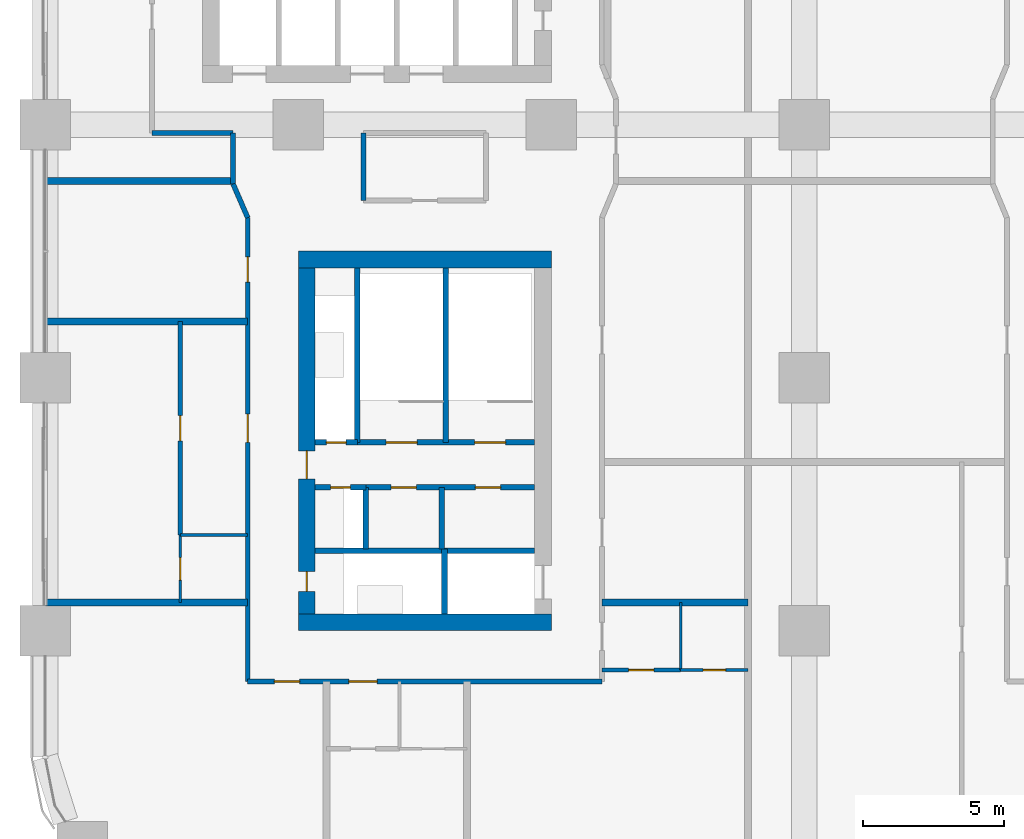
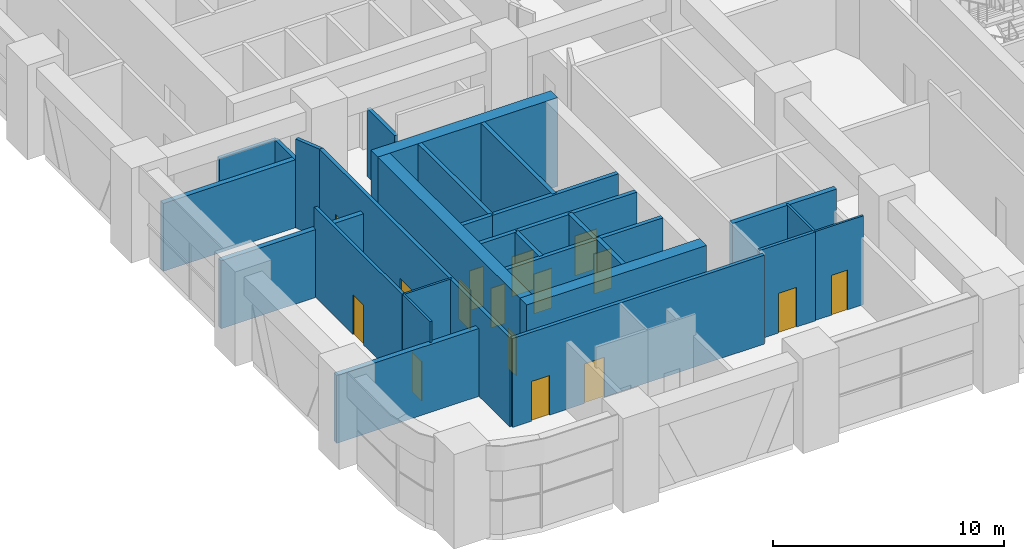
# One storey, part 15 of 26: 29 walls, 16 doors, 16 openings.
"""IFC4 building model written with IfcOpenShell, lengths in metres."""

from ifc_helpers import new_model, si_unit, direction, frame, frame_2d, origin, place, context, subcontext, project, spatial, rectangle, extrude, material, layer, layer_set, type_object, element, fill, save


model = new_model("IFC4")

# Units and contexts
model_context = context("Model", 3, precision=1e-05, world=origin(), true_north=direction((0.0, 1.0)))
body_context = subcontext(model_context, "Body", "Model", "MODEL_VIEW")
ifc_project = project(units=[si_unit("LENGTHUNIT", "METRE"), si_unit("AREAUNIT", "SQUARE_METRE"), si_unit("VOLUMEUNIT", "CUBIC_METRE"), si_unit("PLANEANGLEUNIT", "RADIAN"), si_unit("MASSUNIT", "GRAM", prefix="KILO")], contexts=[model_context])

# Site, building, storey
site_placement = place(None, origin())
site = spatial("IfcSite", under=ifc_project, at=site_placement, CompositionType="ELEMENT")
building_placement = place(site_placement, origin())
building = spatial("IfcBuilding", under=site, at=building_placement, Name="Tessera Arch", CompositionType="ELEMENT")
storey_placement = place(building_placement, frame((0.0, 0.0, 72.800048828125)))
storey = spatial("IfcBuildingStorey", under=building, at=storey_placement, Name="L16", CompositionType="ELEMENT", Elevation=72.800048828125)

# Wall
ifc_material_1 = material(Name="Gypsum board on steel stud", Category="steel")
ifc_layer_1 = layer(ifc_material_1, 0.125)
ifc_layer_set_1 = layer_set([ifc_layer_1], Name="Core partition 125 EI 60")
wall_type_1 = type_object("IfcWallType", Name="Core partition 125 EI 60", PredefinedType="PARTITIONING", material=ifc_layer_set_1)
wall_1_placement = place(storey_placement, frame((14.10009765625, 11.89990234375, 0.0), z_axis=(0.0, 0.0, 1.0), x_axis=(0.0, 1.0, 0.0)))
element("IfcWall", 1, at=wall_1_placement, inside=storey, type_object=wall_type_1, Name="L16 C4 partition wall 3", PredefinedType="PARTITIONING", context=body_context, shape_type="SweptSolid", body=[
    extrude(rectangle(XDim=2.2001953125, YDim=0.199951171875, at=frame_2d((1.10009765625, 0.0))), origin(), (0.0, 0.0, 1.0), 4.699951171875),
])

# Wall, openings, doors
wall_2_placement = place(storey_placement, frame((11.39990234375, 14.10009765625, 0.0), z_axis=(0.0, 0.0, 1.0), x_axis=(1.0, 0.0, 0.0)))
wall_2 = element("IfcWall", 2, at=wall_2_placement, inside=storey, type_object=wall_type_1, Name="L16 C4 partition wall 7", PredefinedType="PARTITIONING", context=body_context, shape_type="SweptSolid", body=[
    extrude(rectangle(XDim=6.0, YDim=0.199951171875, at=frame_2d((3.0, 0.0))), origin(), (0.0, 0.0, 1.0), 4.699951171875),
])
opening_1_placement = place(wall_2_placement, frame((0.89990234375, 0.0, 0.0)))
opening_1 = element("IfcOpeningElement", 3, at=opening_1_placement, cuts=wall_2, Name="Opening L16-C48", PredefinedType="OPENING", context=body_context, shape_type="SweptSolid", body=[
    extrude(rectangle(XDim=0.89990234375, YDim=2.10009765625, at=frame_2d((0.449951171875, 1.050048828125))), frame((0.0, 0.10986328125, 0.0), z_axis=(0.0, -1.0, 0.0), x_axis=(1.0, 0.0, 0.0)), (0.0, 0.0, 1.0), 0.219970703125),
])
opening_2_placement = place(wall_2_placement, frame((3.89990234375, 0.0, 0.0)))
opening_2 = element("IfcOpeningElement", 4, at=opening_2_placement, cuts=wall_2, Name="Opening L16-C49", PredefinedType="OPENING", context=body_context, shape_type="SweptSolid", body=[
    extrude(rectangle(XDim=0.89990234375, YDim=2.10009765625, at=frame_2d((0.449951171875, 1.050048828125))), frame((0.0, 0.10986328125, 0.0), z_axis=(0.0, -1.0, 0.0), x_axis=(1.0, 0.0, 0.0)), (0.0, 0.0, 1.0), 0.219970703125),
])
ifc_material_2 = material(Name="Steel door leaf", Category="steel")
door_type_1 = type_object("IfcDoorType", Name="Store door FD30S 900 x 2100", OperationType="SINGLE_SWING_LEFT", PredefinedType="DOOR", material=ifc_material_2)
door_1_placement = place(opening_1_placement, origin())
door_1 = element("IfcDoor", 5, at=door_1_placement, inside=storey, type_object=door_type_1, Name="L16 C4 door 8 C48 type D09", OperationType="SINGLE_SWING_LEFT", OverallHeight=2.10009765625, OverallWidth=0.89990234375, PredefinedType="DOOR", context=body_context, shape_type="SweptSolid", body=[
    extrude(rectangle(XDim=0.89990234375, YDim=2.10009765625, at=frame_2d((0.449951171875, 1.050048828125))), frame((0.0, 0.02490234375, 0.0), z_axis=(0.0, -1.0, 0.0), x_axis=(1.0, 0.0, 0.0)), (0.0, 0.0, 1.0), 0.050048828125),
])
fill(opening_1, door_1)
door_2_placement = place(opening_2_placement, origin())
door_2 = element("IfcDoor", 6, at=door_2_placement, inside=storey, type_object=door_type_1, Name="L16 C4 door 9 C49 type D09", OperationType="SINGLE_SWING_RIGHT", OverallHeight=2.10009765625, OverallWidth=0.89990234375, PredefinedType="DOOR", context=body_context, shape_type="SweptSolid", body=[
    extrude(rectangle(XDim=0.89990234375, YDim=2.10009765625, at=frame_2d((0.449951171875, 1.050048828125))), frame((0.0, 0.02490234375, 0.0), z_axis=(0.0, -1.0, 0.0), x_axis=(1.0, 0.0, 0.0)), (0.0, 0.0, 1.0), 0.050048828125),
])
fill(opening_2, door_2)

# Walls
ifc_material_3 = material(Name="Concrete C70/85", Category="concrete")
ifc_layer_2 = layer(ifc_material_3, 0.60009765625)
ifc_layer_set_2 = layer_set([ifc_layer_2], Name="Core shell wall 600 C70-85")
wall_type_2 = type_object("IfcWallType", Name="Core shell wall 600 C70-85", PredefinedType="SHEAR", material=ifc_layer_set_2)
for number, where, z_axis, x_axis, name in (
    (7, (9.0, 9.300048828125, 0.0), (0.0, 0.0, 1.0), (1.0, 0.0, 0.0), "L16 C4 core wall S"),
    (8, (9.0, 22.199951171875, 0.0), (0.0, 0.0, 1.0), (1.0, 0.0, 0.0), "L16 C4 core wall N"),
):
    element("IfcWall", number, at=place(storey_placement, frame(where, z_axis=z_axis, x_axis=x_axis)), inside=storey, type_object=wall_type_2, Name=name, PredefinedType="SHEAR", context=body_context, shape_type="SweptSolid", body=[
        extrude(rectangle(XDim=9.0, YDim=0.60009765625, at=frame_2d((4.5, 0.0))), origin(), (0.0, 0.0, 1.0), 4.699951171875),
    ])

# Wall, openings, doors
wall_3_placement = place(storey_placement, frame((9.300048828125, 9.60009765625, 0.0), z_axis=(0.0, 0.0, 1.0), x_axis=(0.0, 1.0, 0.0)))
wall_3 = element("IfcWall", 9, at=wall_3_placement, inside=storey, type_object=wall_type_2, Name="L16 C4 core wall W", PredefinedType="SHEAR", context=body_context, shape_type="SweptSolid", body=[
    extrude(rectangle(XDim=12.2998046875, YDim=0.60009765625, at=frame_2d((6.14990234375, 0.0))), origin(), (0.0, 0.0, 1.0), 4.699951171875),
])
opening_3_placement = place(wall_3_placement, frame((0.800048828125, 0.0, 0.0)))
opening_3 = element("IfcOpeningElement", 10, at=opening_3_placement, cuts=wall_3, Name="Opening L16-C46", PredefinedType="OPENING", context=body_context, shape_type="SweptSolid", body=[
    extrude(rectangle(XDim=0.699951171875, YDim=2.10009765625, at=frame_2d((0.35009765625, 1.050048828125))), frame((0.0, 0.31005859375, 0.0), z_axis=(0.0, -1.0, 0.0), x_axis=(1.0, 0.0, 0.0)), (0.0, 0.0, 1.0), 0.6201171875),
])
opening_4_placement = place(wall_3_placement, frame((4.800048828125, 0.0, 0.0)))
opening_4 = element("IfcOpeningElement", 11, at=opening_4_placement, cuts=wall_3, Name="Opening L16-C47", PredefinedType="OPENING", context=body_context, shape_type="SweptSolid", body=[
    extrude(rectangle(XDim=1.0, YDim=2.10009765625, at=frame_2d((0.5, 1.050048828125))), frame((0.0, 0.31005859375, 0.0), z_axis=(0.0, -1.0, 0.0), x_axis=(1.0, 0.0, 0.0)), (0.0, 0.0, 1.0), 0.6201171875),
])
ifc_material_4 = material(Name="Steel door leaf", Category="steel")
door_type_2 = type_object("IfcDoorType", Name="Corridor door FD60 1000 x 2100", OperationType="SINGLE_SWING_LEFT", PredefinedType="DOOR", material=ifc_material_4)
door_3_placement = place(opening_4_placement, origin())
door_3 = element("IfcDoor", 12, at=door_3_placement, inside=storey, type_object=door_type_2, Name="L16 C4 door 7 C47 type D12", OperationType="SINGLE_SWING_LEFT", OverallHeight=2.10009765625, OverallWidth=1.0, PredefinedType="DOOR", context=body_context, shape_type="SweptSolid", body=[
    extrude(rectangle(XDim=1.0, YDim=2.10009765625, at=frame_2d((0.5, 1.050048828125))), frame((0.0, 0.02490234375, 0.0), z_axis=(0.0, -1.0, 0.0), x_axis=(1.0, 0.0, 0.0)), (0.0, 0.0, 1.0), 0.050048828125),
])
fill(opening_4, door_3)
ifc_material_5 = material(Name="Steel door leaf", Category="steel")
door_type_3 = type_object("IfcDoorType", Name="Service shaft door FD60 700 x 2100", OperationType="SINGLE_SWING_LEFT", PredefinedType="DOOR", material=ifc_material_5)
door_4_placement = place(opening_3_placement, origin())
door_4 = element("IfcDoor", 13, at=door_4_placement, inside=storey, type_object=door_type_3, Name="L16 C4 door 6 C46 type D07", OperationType="SINGLE_SWING_LEFT", OverallHeight=2.10009765625, OverallWidth=0.699951171875, PredefinedType="DOOR", context=body_context, shape_type="SweptSolid", body=[
    extrude(rectangle(XDim=0.699951171875, YDim=2.10009765625, at=frame_2d((0.35009765625, 1.050048828125))), frame((0.0, 0.02490234375, 0.0), z_axis=(0.0, -1.0, 0.0), x_axis=(1.0, 0.0, 0.0)), (0.0, 0.0, 1.0), 0.050048828125),
])
fill(opening_3, door_4)

ifc_material_6 = material(Name="Gypsum board on deep steel stud with mineral wool", Category="steel")
ifc_layer_3 = layer(ifc_material_6, 0.175048828125)
ifc_layer_set_3 = layer_set([ifc_layer_3], Name="Corridor wall 175 EI 60")
wall_type_3 = type_object("IfcWallType", Name="Corridor wall 175 EI 60", PredefinedType="PARTITIONING", material=ifc_layer_set_3)
wall_4_placement = place(storey_placement, frame((7.199951171875, 7.199951171875, 0.0), z_axis=(0.0, 0.0, 1.0), x_axis=(1.0, 0.0, 0.0)))
wall_4 = element("IfcWall", 14, at=wall_4_placement, inside=storey, type_object=wall_type_3, Name="L16 partition 1", PredefinedType="PARTITIONING", context=body_context, shape_type="SweptSolid", body=[
    extrude(rectangle(XDim=12.60009765625, YDim=0.175048828125, at=frame_2d((6.300048828125, 0.0))), origin(), (0.0, 0.0, 1.0), 4.699951171875),
])
opening_5_placement = place(wall_4_placement, frame((3.60009765625, 0.0, 0.0)))
opening_5 = element("IfcOpeningElement", 15, at=opening_5_placement, cuts=wall_4, Name="Opening L16-D001", PredefinedType="OPENING", context=body_context, shape_type="SweptSolid", body=[
    extrude(rectangle(XDim=1.0, YDim=2.10009765625, at=frame_2d((0.5, 1.050048828125))), frame((0.0, 0.097412109375, 0.0), z_axis=(0.0, -1.0, 0.0), x_axis=(1.0, 0.0, 0.0)), (0.0, 0.0, 1.0), 0.195068359375),
])
opening_6_placement = place(wall_4_placement, frame((0.949951171875, 0.0, 0.0)))
opening_6 = element("IfcOpeningElement", 16, at=opening_6_placement, cuts=wall_4, Name="Opening L16-D010", PredefinedType="OPENING", context=body_context, shape_type="SweptSolid", body=[
    extrude(rectangle(XDim=0.89990234375, YDim=2.10009765625, at=frame_2d((0.449951171875, 1.050048828125))), frame((0.0, 0.097412109375, 0.0), z_axis=(0.0, -1.0, 0.0), x_axis=(1.0, 0.0, 0.0)), (0.0, 0.0, 1.0), 0.195068359375),
])
ifc_material_7 = material(Name="Fire-rated door leaf")
door_type_4 = type_object("IfcDoorType", Name="Entrance door FD30S 1000 x 2100", OperationType="SINGLE_SWING_LEFT", PredefinedType="DOOR", material=ifc_material_7)
door_5_placement = place(opening_5_placement, origin())
door_5 = element("IfcDoor", 17, at=door_5_placement, inside=storey, type_object=door_type_4, Name="L16 door D001 type D03", OperationType="SINGLE_SWING_RIGHT", OverallHeight=2.10009765625, OverallWidth=1.0, PredefinedType="DOOR", context=body_context, shape_type="SweptSolid", body=[
    extrude(rectangle(XDim=1.0, YDim=2.10009765625, at=frame_2d((0.5, 1.050048828125))), frame((0.0, 0.02490234375, 0.0), z_axis=(0.0, -1.0, 0.0), x_axis=(1.0, 0.0, 0.0)), (0.0, 0.0, 1.0), 0.050048828125),
])
fill(opening_5, door_5)
ifc_material_8 = material(Name="Timber door leaf", Category="wood")
door_type_5 = type_object("IfcDoorType", Name="Room door 900 x 2100", OperationType="SINGLE_SWING_LEFT", PredefinedType="DOOR", material=ifc_material_8)
door_6_placement = place(opening_6_placement, origin())
door_6 = element("IfcDoor", 18, at=door_6_placement, inside=storey, type_object=door_type_5, Name="L16 door D010 type D01", OperationType="SINGLE_SWING_LEFT", OverallHeight=2.10009765625, OverallWidth=0.89990234375, PredefinedType="DOOR", context=body_context, shape_type="SweptSolid", body=[
    extrude(rectangle(XDim=0.89990234375, YDim=2.10009765625, at=frame_2d((0.449951171875, 1.050048828125))), frame((0.0, 0.02490234375, 0.0), z_axis=(0.0, -1.0, 0.0), x_axis=(1.0, 0.0, 0.0)), (0.0, 0.0, 1.0), 0.050048828125),
])
fill(opening_6, door_6)

# Walls
wall_5_placement = place(storey_placement, frame((3.800048828125, 26.699951171875, 0.0), z_axis=(0.0, 0.0, 1.0), x_axis=(1.0, 0.0, 0.0)))
element("IfcWall", 19, at=wall_5_placement, inside=storey, type_object=wall_type_3, Name="L16 partition 5", PredefinedType="PARTITIONING", context=body_context, shape_type="SweptSolid", body=[
    extrude(rectangle(XDim=2.8798828125, YDim=0.175048828125, at=frame_2d((1.43994140625, 0.0))), origin(), (0.0, 0.0, 1.0), 3.58984375),
])
wall_6_placement = place(storey_placement, frame((6.679931640625, 24.889892578125, 0.0), z_axis=(0.0, 0.0, 1.0), x_axis=(0.0, 1.0, 0.0)))
element("IfcWall", 20, at=wall_6_placement, inside=storey, type_object=wall_type_3, Name="L16 partition 12", PredefinedType="PARTITIONING", context=body_context, shape_type="SweptSolid", body=[
    extrude(rectangle(XDim=1.81005859375, YDim=0.175048828125, at=frame_2d((0.905029296875, 0.0))), origin(), (0.0, 0.0, 1.0), 3.58984375),
])

# Wall, openings, doors
wall_7_placement = place(storey_placement, frame((7.199951171875, 7.199951171875, 0.0), z_axis=(0.0, 0.0, 1.0), x_axis=(0.0, 1.0, 0.0)))
wall_7 = element("IfcWall", 21, at=wall_7_placement, inside=storey, type_object=wall_type_3, Name="L16 partition 13", PredefinedType="PARTITIONING", context=body_context, shape_type="SweptSolid", body=[
    extrude(rectangle(XDim=16.489990234375, YDim=0.175048828125, at=frame_2d((8.2451171875, 0.0))), origin(), (0.0, 0.0, 1.0), 4.699951171875),
])
opening_7_placement = place(wall_7_placement, frame((8.5, 0.0, 0.0)))
opening_7 = element("IfcOpeningElement", 22, at=opening_7_placement, cuts=wall_7, Name="Opening L16-D019", PredefinedType="OPENING", context=body_context, shape_type="SweptSolid", body=[
    extrude(rectangle(XDim=1.0, YDim=2.10009765625, at=frame_2d((0.5, 1.050048828125))), frame((0.0, 0.097412109375, 0.0), z_axis=(0.0, -1.0, 0.0), x_axis=(1.0, 0.0, 0.0)), (0.0, 0.0, 1.0), 0.195068359375),
])
opening_8_placement = place(wall_7_placement, frame((14.195068359375, 0.0, 0.0)))
opening_8 = element("IfcOpeningElement", 23, at=opening_8_placement, cuts=wall_7, Name="Opening L16-D027", PredefinedType="OPENING", context=body_context, shape_type="SweptSolid", body=[
    extrude(rectangle(XDim=0.89990234375, YDim=2.10009765625, at=frame_2d((0.449951171875, 1.050048828125))), frame((0.0, 0.097412109375, 0.0), z_axis=(0.0, -1.0, 0.0), x_axis=(1.0, 0.0, 0.0)), (0.0, 0.0, 1.0), 0.195068359375),
])
door_7_placement = place(opening_7_placement, origin())
door_7 = element("IfcDoor", 24, at=door_7_placement, inside=storey, type_object=door_type_4, Name="L16 door D019 type D03", OperationType="SINGLE_SWING_LEFT", OverallHeight=2.10009765625, OverallWidth=1.0, PredefinedType="DOOR", context=body_context, shape_type="SweptSolid", body=[
    extrude(rectangle(XDim=1.0, YDim=2.10009765625, at=frame_2d((0.5, 1.050048828125))), frame((0.0, 0.02490234375, 0.0), z_axis=(0.0, -1.0, 0.0), x_axis=(1.0, 0.0, 0.0)), (0.0, 0.0, 1.0), 0.050048828125),
])
fill(opening_7, door_7)
door_8_placement = place(opening_8_placement, origin())
door_8 = element("IfcDoor", 25, at=door_8_placement, inside=storey, type_object=door_type_5, Name="L16 door D027 type D01", OperationType="SINGLE_SWING_LEFT", OverallHeight=2.10009765625, OverallWidth=0.89990234375, PredefinedType="DOOR", context=body_context, shape_type="SweptSolid", body=[
    extrude(rectangle(XDim=0.89990234375, YDim=2.10009765625, at=frame_2d((0.449951171875, 1.050048828125))), frame((0.0, 0.02490234375, 0.0), z_axis=(0.0, -1.0, 0.0), x_axis=(1.0, 0.0, 0.0)), (0.0, 0.0, 1.0), 0.050048828125),
])
fill(opening_8, door_8)

# Walls
wall_8_placement = place(storey_placement, frame((11.320068359375, 24.300048828125, 0.0), z_axis=(0.0, 0.0, 1.0), x_axis=(0.0, 1.0, 0.0)))
element("IfcWall", 26, at=wall_8_placement, inside=storey, type_object=wall_type_3, Name="L16 partition 14", PredefinedType="PARTITIONING", context=body_context, shape_type="SweptSolid", body=[
    extrude(rectangle(XDim=2.39990234375, YDim=0.175048828125, at=frame_2d((1.199951171875, 0.0))), origin(), (0.0, 0.0, 1.0), 3.58984375),
])
wall_9_placement = place(storey_placement, frame((7.199951171875, 23.68994140625, 0.0), z_axis=(0.0, 0.0, 1.0), x_axis=(-0.397633632391, 0.917544273804, 0.0)))
element("IfcWall", 27, at=wall_9_placement, inside=storey, type_object=wall_type_3, Name="L16 partition 80", PredefinedType="PARTITIONING", context=body_context, shape_type="SweptSolid", body=[
    extrude(rectangle(XDim=1.307861328125, YDim=0.175048828125, at=frame_2d((0.65380859375, 0.0))), origin(), (0.0, 0.0, 1.0), 4.699951171875),
])

# Wall, opening, door
ifc_material_9 = material(Name="Gypsum board on steel stud", Category="steel")
ifc_layer_4 = layer(ifc_material_9, 0.14990234375)
ifc_layer_set_4 = layer_set([ifc_layer_4], Name="Partition 150")
wall_type_4 = type_object("IfcWallType", Name="Partition 150", PredefinedType="PARTITIONING", material=ifc_layer_set_4)
wall_10_placement = place(storey_placement, frame((19.800048828125, 7.60009765625, 0.0), z_axis=(0.0, 0.0, 1.0), x_axis=(1.0, 0.0, 0.0)))
wall_10 = element("IfcWall", 28, at=wall_10_placement, inside=storey, type_object=wall_type_4, Name="L16 partition 29", PredefinedType="PARTITIONING", context=body_context, shape_type="SweptSolid", body=[
    extrude(rectangle(XDim=2.800048828125, YDim=0.14990234375, at=frame_2d((1.39990234375, 0.0))), origin(), (0.0, 0.0, 1.0), 4.699951171875),
])
opening_9_placement = place(wall_10_placement, frame((0.949951171875, 0.0, 0.0)))
opening_9 = element("IfcOpeningElement", 29, at=opening_9_placement, cuts=wall_10, Name="Opening L16-D008", PredefinedType="OPENING", context=body_context, shape_type="SweptSolid", body=[
    extrude(rectangle(XDim=0.89990234375, YDim=2.10009765625, at=frame_2d((0.449951171875, 1.050048828125))), frame((0.0, 0.0849609375, 0.0), z_axis=(0.0, -1.0, 0.0), x_axis=(1.0, 0.0, 0.0)), (0.0, 0.0, 1.0), 0.169921875),
])
door_9_placement = place(opening_9_placement, origin())
door_9 = element("IfcDoor", 30, at=door_9_placement, inside=storey, type_object=door_type_5, Name="L16 door D008 type D01", OperationType="SINGLE_SWING_LEFT", OverallHeight=2.10009765625, OverallWidth=0.89990234375, PredefinedType="DOOR", context=body_context, shape_type="SweptSolid", body=[
    extrude(rectangle(XDim=0.89990234375, YDim=2.10009765625, at=frame_2d((0.449951171875, 1.050048828125))), frame((0.0, 0.02490234375, 0.0), z_axis=(0.0, -1.0, 0.0), x_axis=(1.0, 0.0, 0.0)), (0.0, 0.0, 1.0), 0.050048828125),
])
fill(opening_9, door_9)

wall_11_placement = place(storey_placement, frame((4.800048828125, 12.39990234375, 0.0), z_axis=(0.0, 0.0, 1.0), x_axis=(0.0, 1.0, 0.0)))
wall_11 = element("IfcWall", 31, at=wall_11_placement, inside=storey, type_object=wall_type_4, Name="L16 partition 30", PredefinedType="PARTITIONING", context=body_context, shape_type="SweptSolid", body=[
    extrude(rectangle(XDim=7.60009765625, YDim=0.14990234375, at=frame_2d((3.800048828125, 0.0))), origin(), (0.0, 0.0, 1.0), 4.699951171875),
])
opening_10_placement = place(wall_11_placement, frame((3.35009765625, 0.0, 0.0)))
opening_10 = element("IfcOpeningElement", 32, at=opening_10_placement, cuts=wall_11, Name="Opening L16-D020", PredefinedType="OPENING", context=body_context, shape_type="SweptSolid", body=[
    extrude(rectangle(XDim=0.89990234375, YDim=2.10009765625, at=frame_2d((0.449951171875, 1.050048828125))), frame((0.0, 0.0849609375, 0.0), z_axis=(0.0, -1.0, 0.0), x_axis=(1.0, 0.0, 0.0)), (0.0, 0.0, 1.0), 0.169921875),
])
door_10_placement = place(opening_10_placement, origin())
door_10 = element("IfcDoor", 33, at=door_10_placement, inside=storey, type_object=door_type_5, Name="L16 door D020 type D01", OperationType="SINGLE_SWING_RIGHT", OverallHeight=2.10009765625, OverallWidth=0.89990234375, PredefinedType="DOOR", context=body_context, shape_type="SweptSolid", body=[
    extrude(rectangle(XDim=0.89990234375, YDim=2.10009765625, at=frame_2d((0.449951171875, 1.050048828125))), frame((0.0, 0.02490234375, 0.0), z_axis=(0.0, -1.0, 0.0), x_axis=(1.0, 0.0, 0.0)), (0.0, 0.0, 1.0), 0.050048828125),
])
fill(opening_10, door_10)

# Walls
ifc_material_10 = material(Name="Double gypsum board on twin steel stud with acoustic mineral wool", Category="steel")
ifc_layer_5 = layer(ifc_material_10, 0.25)
ifc_layer_set_5 = layer_set([ifc_layer_5], Name="Party wall 250 EI 60")
wall_type_5 = type_object("IfcWallType", Name="Party wall 250 EI 60", PredefinedType="PARTITIONING", material=ifc_layer_set_5)
wall_12_placement = place(storey_placement, frame((0.0, 10.0, 0.0), z_axis=(0.0, 0.0, 1.0), x_axis=(1.0, 0.0, 0.0)))
element("IfcWall", 34, at=wall_12_placement, inside=storey, type_object=wall_type_5, Name="L16 partition 34", PredefinedType="PARTITIONING", context=body_context, shape_type="SweptSolid", body=[
    extrude(rectangle(XDim=7.199951171875, YDim=0.25, at=frame_2d((3.60009765625, 0.0))), origin(), (0.0, 0.0, 1.0), 3.58984375),
])
wall_13_placement = place(storey_placement, frame((19.800048828125, 10.0, 0.0), z_axis=(0.0, 0.0, 1.0), x_axis=(1.0, 0.0, 0.0)))
element("IfcWall", 35, at=wall_13_placement, inside=storey, type_object=wall_type_5, Name="L16 partition 35", PredefinedType="PARTITIONING", context=body_context, shape_type="SweptSolid", body=[
    extrude(rectangle(XDim=5.199951171875, YDim=0.25, at=frame_2d((2.60009765625, 0.0))), origin(), (0.0, 0.0, 1.0), 4.699951171875),
])
wall_14_placement = place(storey_placement, frame((0.0, 20.0, 0.0), z_axis=(0.0, 0.0, 1.0), x_axis=(1.0, 0.0, 0.0)))
element("IfcWall", 36, at=wall_14_placement, inside=storey, type_object=wall_type_5, Name="L16 partition 39", PredefinedType="PARTITIONING", context=body_context, shape_type="SweptSolid", body=[
    extrude(rectangle(XDim=7.199951171875, YDim=0.25, at=frame_2d((3.60009765625, 0.0))), origin(), (0.0, 0.0, 1.0), 3.58984375),
])
wall_15_placement = place(storey_placement, frame((0.0, 25.0, 0.0), z_axis=(0.0, 0.0, 1.0), x_axis=(1.0, 0.0, 0.0)))
element("IfcWall", 37, at=wall_15_placement, inside=storey, type_object=wall_type_5, Name="L16 partition 40", PredefinedType="PARTITIONING", context=body_context, shape_type="SweptSolid", body=[
    extrude(rectangle(XDim=6.679931640625, YDim=0.25, at=frame_2d((3.33984375, 0.0))), origin(), (0.0, 0.0, 1.0), 3.58984375),
])
ifc_material_11 = material(Name="Concrete C40/50", Category="concrete")
ifc_layer_6 = layer(ifc_material_11, 0.199951171875)
ifc_layer_set_6 = layer_set([ifc_layer_6], Name="Shaft wall 200 EI 120")
wall_type_6 = type_object("IfcWallType", Name="Shaft wall 200 EI 120", PredefinedType="SOLIDWALL", material=ifc_layer_set_6)
wall_16_placement = place(storey_placement, frame((11.39990234375, 11.89990234375, 0.0), z_axis=(0.0, 0.0, 1.0), x_axis=(0.0, 1.0, 0.0)))
element("IfcWall", 38, at=wall_16_placement, inside=storey, type_object=wall_type_6, Name="L16 C4 shaft wall 2", PredefinedType="SOLIDWALL", context=body_context, shape_type="SweptSolid", body=[
    extrude(rectangle(XDim=2.2001953125, YDim=0.199951171875, at=frame_2d((1.10009765625, 0.0))), origin(), (0.0, 0.0, 1.0), 4.699951171875),
])
wall_17_placement = place(storey_placement, frame((14.199951171875, 9.60009765625, 0.0), z_axis=(0.0, 0.0, 1.0), x_axis=(0.0, 1.0, 0.0)))
element("IfcWall", 39, at=wall_17_placement, inside=storey, type_object=wall_type_6, Name="L16 C4 shaft wall 4", PredefinedType="SOLIDWALL", context=body_context, shape_type="SweptSolid", body=[
    extrude(rectangle(XDim=2.2998046875, YDim=0.199951171875, at=frame_2d((1.14990234375, 0.0))), origin(), (0.0, 0.0, 1.0), 4.699951171875),
])
wall_18_placement = place(storey_placement, frame((9.60009765625, 11.85009765625, 0.0), z_axis=(0.0, 0.0, 1.0), x_axis=(1.0, 0.0, 0.0)))
element("IfcWall", 40, at=wall_18_placement, inside=storey, type_object=wall_type_6, Name="L16 C4 shaft wall 6", PredefinedType="SOLIDWALL", context=body_context, shape_type="SweptSolid", body=[
    extrude(rectangle(XDim=7.7998046875, YDim=0.199951171875, at=frame_2d((3.89990234375, 0.0))), origin(), (0.0, 0.0, 1.0), 4.699951171875),
])

# Wall, opening, door
wall_19_placement = place(storey_placement, frame((9.60009765625, 14.10009765625, 0.0), z_axis=(0.0, 0.0, 1.0), x_axis=(1.0, 0.0, 0.0)))
wall_19 = element("IfcWall", 41, at=wall_19_placement, inside=storey, type_object=wall_type_6, Name="L16 C4 shaft wall 8", PredefinedType="SOLIDWALL", context=body_context, shape_type="SweptSolid", body=[
    extrude(rectangle(XDim=1.7998046875, YDim=0.199951171875, at=frame_2d((0.89990234375, 0.0))), origin(), (0.0, 0.0, 1.0), 4.699951171875),
])
opening_11_placement = place(wall_19_placement, frame((0.550048828125, 0.0, 0.0)))
opening_11 = element("IfcOpeningElement", 42, at=opening_11_placement, cuts=wall_19, Name="Opening L16-C45", PredefinedType="OPENING", context=body_context, shape_type="SweptSolid", body=[
    extrude(rectangle(XDim=0.699951171875, YDim=2.10009765625, at=frame_2d((0.35009765625, 1.050048828125))), frame((0.0, 0.10986328125, 0.0), z_axis=(0.0, -1.0, 0.0), x_axis=(1.0, 0.0, 0.0)), (0.0, 0.0, 1.0), 0.219970703125),
])
door_11_placement = place(opening_11_placement, origin())
door_11 = element("IfcDoor", 43, at=door_11_placement, inside=storey, type_object=door_type_3, Name="L16 C4 door 5 C45 type D07", OperationType="SINGLE_SWING_LEFT", OverallHeight=2.10009765625, OverallWidth=0.699951171875, PredefinedType="DOOR", context=body_context, shape_type="SweptSolid", body=[
    extrude(rectangle(XDim=0.699951171875, YDim=2.10009765625, at=frame_2d((0.35009765625, 1.050048828125))), frame((0.0, 0.02490234375, 0.0), z_axis=(0.0, -1.0, 0.0), x_axis=(1.0, 0.0, 0.0)), (0.0, 0.0, 1.0), 0.050048828125),
])
fill(opening_11, door_11)

wall_20_placement = place(storey_placement, frame((9.60009765625, 15.699951171875, 0.0), z_axis=(0.0, 0.0, 1.0), x_axis=(1.0, 0.0, 0.0)))
wall_20 = element("IfcWall", 44, at=wall_20_placement, inside=storey, type_object=wall_type_6, Name="L16 C4 shaft wall 9", PredefinedType="SOLIDWALL", context=body_context, shape_type="SweptSolid", body=[
    extrude(rectangle(XDim=1.5, YDim=0.199951171875, at=frame_2d((0.75, 0.0))), origin(), (0.0, 0.0, 1.0), 4.699951171875),
])
opening_12_placement = place(wall_20_placement, frame((0.39990234375, 0.0, 0.0)))
opening_12 = element("IfcOpeningElement", 45, at=opening_12_placement, cuts=wall_20, Name="Opening L16-C44", PredefinedType="OPENING", context=body_context, shape_type="SweptSolid", body=[
    extrude(rectangle(XDim=0.699951171875, YDim=2.10009765625, at=frame_2d((0.35009765625, 1.050048828125))), frame((0.0, 0.10986328125, 0.0), z_axis=(0.0, -1.0, 0.0), x_axis=(1.0, 0.0, 0.0)), (0.0, 0.0, 1.0), 0.219970703125),
])
door_12_placement = place(opening_12_placement, origin())
door_12 = element("IfcDoor", 46, at=door_12_placement, inside=storey, type_object=door_type_3, Name="L16 C4 door 4 C44 type D07", OperationType="SINGLE_SWING_LEFT", OverallHeight=2.10009765625, OverallWidth=0.699951171875, PredefinedType="DOOR", context=body_context, shape_type="SweptSolid", body=[
    extrude(rectangle(XDim=0.699951171875, YDim=2.10009765625, at=frame_2d((0.35009765625, 1.050048828125))), frame((0.0, 0.02490234375, 0.0), z_axis=(0.0, -1.0, 0.0), x_axis=(1.0, 0.0, 0.0)), (0.0, 0.0, 1.0), 0.050048828125),
])
fill(opening_12, door_12)

# Walls
ifc_material_12 = material(Name="Concrete C40/50", Category="concrete")
ifc_layer_7 = layer(ifc_material_12, 0.199951171875)
ifc_layer_set_7 = layer_set([ifc_layer_7], Name="Stair well wall 200 REI 180")
wall_type_7 = type_object("IfcWallType", Name="Stair well wall 200 REI 180", PredefinedType="SOLIDWALL", material=ifc_layer_set_7)
for number, where, z_axis, x_axis, name in (
    (47, (11.10009765625, 15.699951171875, 0.0), (0.0, 0.0, 1.0), (0.0, 1.0, 0.0), "L16 C4 shaft wall 1"),
    (48, (14.25, 15.699951171875, 0.0), (0.0, 0.0, 1.0), (0.0, 1.0, 0.0), "L16 C4 shaft wall 5"),
):
    element("IfcWall", number, at=place(storey_placement, frame(where, z_axis=z_axis, x_axis=x_axis)), inside=storey, type_object=wall_type_7, Name=name, PredefinedType="SOLIDWALL", context=body_context, shape_type="SweptSolid", body=[
        extrude(rectangle(XDim=6.199951171875, YDim=0.199951171875, at=frame_2d((3.10009765625, 0.0))), origin(), (0.0, 0.0, 1.0), 4.699951171875),
    ])

# Wall, openings, doors
wall_21_placement = place(storey_placement, frame((11.10009765625, 15.699951171875, 0.0), z_axis=(0.0, 0.0, 1.0), x_axis=(1.0, 0.0, 0.0)))
wall_21 = element("IfcWall", 49, at=wall_21_placement, inside=storey, type_object=wall_type_7, Name="L16 C4 shaft wall 10", PredefinedType="SOLIDWALL", context=body_context, shape_type="SweptSolid", body=[
    extrude(rectangle(XDim=6.2998046875, YDim=0.199951171875, at=frame_2d((3.14990234375, 0.0))), origin(), (0.0, 0.0, 1.0), 4.699951171875),
])
opening_13_placement = place(wall_21_placement, frame((4.175048828125, 0.0, 0.0)))
opening_13 = element("IfcOpeningElement", 50, at=opening_13_placement, cuts=wall_21, Name="Opening L16-C42", PredefinedType="OPENING", context=body_context, shape_type="SweptSolid", body=[
    extrude(rectangle(XDim=1.10009765625, YDim=2.10009765625, at=frame_2d((0.550048828125, 1.050048828125))), frame((0.0, 0.10986328125, 0.0), z_axis=(0.0, -1.0, 0.0), x_axis=(1.0, 0.0, 0.0)), (0.0, 0.0, 1.0), 0.219970703125),
])
opening_14_placement = place(wall_21_placement, frame((1.02490234375, 0.0, 0.0)))
opening_14 = element("IfcOpeningElement", 51, at=opening_14_placement, cuts=wall_21, Name="Opening L16-C43", PredefinedType="OPENING", context=body_context, shape_type="SweptSolid", body=[
    extrude(rectangle(XDim=1.10009765625, YDim=2.10009765625, at=frame_2d((0.550048828125, 1.050048828125))), frame((0.0, 0.10986328125, 0.0), z_axis=(0.0, -1.0, 0.0), x_axis=(1.0, 0.0, 0.0)), (0.0, 0.0, 1.0), 0.219970703125),
])
ifc_material_13 = material(Name="Steel door leaf", Category="steel")
door_type_6 = type_object("IfcDoorType", Name="Stair door FD60 1100 x 2100", OperationType="SINGLE_SWING_LEFT", PredefinedType="DOOR", material=ifc_material_13)
door_13_placement = place(opening_13_placement, origin())
door_13 = element("IfcDoor", 52, at=door_13_placement, inside=storey, type_object=door_type_6, Name="L16 C4 door 2 C42 type D05", OperationType="SINGLE_SWING_RIGHT", OverallHeight=2.10009765625, OverallWidth=1.10009765625, PredefinedType="DOOR", context=body_context, shape_type="SweptSolid", body=[
    extrude(rectangle(XDim=1.10009765625, YDim=2.10009765625, at=frame_2d((0.550048828125, 1.050048828125))), frame((0.0, 0.02490234375, 0.0), z_axis=(0.0, -1.0, 0.0), x_axis=(1.0, 0.0, 0.0)), (0.0, 0.0, 1.0), 0.050048828125),
])
fill(opening_13, door_13)
door_14_placement = place(opening_14_placement, origin())
door_14 = element("IfcDoor", 53, at=door_14_placement, inside=storey, type_object=door_type_6, Name="L16 C4 door 3 C43 type D05", OperationType="SINGLE_SWING_LEFT", OverallHeight=2.10009765625, OverallWidth=1.10009765625, PredefinedType="DOOR", context=body_context, shape_type="SweptSolid", body=[
    extrude(rectangle(XDim=1.10009765625, YDim=2.10009765625, at=frame_2d((0.550048828125, 1.050048828125))), frame((0.0, 0.02490234375, 0.0), z_axis=(0.0, -1.0, 0.0), x_axis=(1.0, 0.0, 0.0)), (0.0, 0.0, 1.0), 0.050048828125),
])
fill(opening_14, door_14)

# Wall, opening, door
ifc_material_14 = material(Name="Moisture-resistant board on pre-plumbed steel stud", Category="steel")
ifc_layer_8 = layer(ifc_material_14, 0.10009765625)
ifc_layer_set_8 = layer_set([ifc_layer_8], Name="Wet wall 100")
wall_type_8 = type_object("IfcWallType", Name="Wet wall 100", PredefinedType="PARTITIONING", material=ifc_layer_set_8)
wall_22_placement = place(storey_placement, frame((22.60009765625, 7.60009765625, 0.0), z_axis=(0.0, 0.0, 1.0), x_axis=(1.0, 0.0, 0.0)))
wall_22 = element("IfcWall", 54, at=wall_22_placement, inside=storey, type_object=wall_type_8, Name="L16 partition 65", PredefinedType="PARTITIONING", context=body_context, shape_type="SweptSolid", body=[
    extrude(rectangle(XDim=2.39990234375, YDim=0.10009765625, at=frame_2d((1.199951171875, 0.0))), origin(), (0.0, 0.0, 1.0), 4.699951171875),
])
opening_15_placement = place(wall_22_placement, frame((0.800048828125, 0.0, 0.0)))
opening_15 = element("IfcOpeningElement", 55, at=opening_15_placement, cuts=wall_22, Name="Opening L16-D009", PredefinedType="OPENING", context=body_context, shape_type="SweptSolid", body=[
    extrude(rectangle(XDim=0.800048828125, YDim=2.10009765625, at=frame_2d((0.39990234375, 1.050048828125))), frame((0.0, 0.06005859375, 0.0), z_axis=(0.0, -1.0, 0.0), x_axis=(1.0, 0.0, 0.0)), (0.0, 0.0, 1.0), 0.1201171875),
])
ifc_material_15 = material(Name="Timber door leaf", Category="wood")
door_type_7 = type_object("IfcDoorType", Name="En-suite door 800 x 2100", OperationType="SINGLE_SWING_LEFT", PredefinedType="DOOR", material=ifc_material_15)
door_15_placement = place(opening_15_placement, origin())
door_15 = element("IfcDoor", 56, at=door_15_placement, inside=storey, type_object=door_type_7, Name="L16 door D009 type D02", OperationType="SINGLE_SWING_RIGHT", OverallHeight=2.10009765625, OverallWidth=0.800048828125, PredefinedType="DOOR", context=body_context, shape_type="SweptSolid", body=[
    extrude(rectangle(XDim=0.800048828125, YDim=2.10009765625, at=frame_2d((0.39990234375, 1.050048828125))), frame((0.0, 0.02490234375, 0.0), z_axis=(0.0, -1.0, 0.0), x_axis=(1.0, 0.0, 0.0)), (0.0, 0.0, 1.0), 0.050048828125),
])
fill(opening_15, door_15)

# Wall
wall_23_placement = place(storey_placement, frame((4.800048828125, 12.39990234375, 0.0), z_axis=(0.0, 0.0, 1.0), x_axis=(1.0, 0.0, 0.0)))
element("IfcWall", 57, at=wall_23_placement, inside=storey, type_object=wall_type_8, Name="L16 partition 66", PredefinedType="PARTITIONING", context=body_context, shape_type="SweptSolid", body=[
    extrude(rectangle(XDim=2.39990234375, YDim=0.10009765625, at=frame_2d((1.199951171875, 0.0))), origin(), (0.0, 0.0, 1.0), 4.699951171875),
])

# Wall, opening, door
wall_24_placement = place(storey_placement, frame((4.800048828125, 10.0, 0.0), z_axis=(0.0, 0.0, 1.0), x_axis=(0.0, 1.0, 0.0)))
wall_24 = element("IfcWall", 58, at=wall_24_placement, inside=storey, type_object=wall_type_8, Name="L16 partition 69", PredefinedType="PARTITIONING", context=body_context, shape_type="SweptSolid", body=[
    extrude(rectangle(XDim=2.39990234375, YDim=0.10009765625, at=frame_2d((1.199951171875, 0.0))), origin(), (0.0, 0.0, 1.0), 4.699951171875),
])
opening_16_placement = place(wall_24_placement, frame((0.800048828125, 0.0, 0.0)))
opening_16 = element("IfcOpeningElement", 59, at=opening_16_placement, cuts=wall_24, Name="Opening L16-D021", PredefinedType="OPENING", context=body_context, shape_type="SweptSolid", body=[
    extrude(rectangle(XDim=0.800048828125, YDim=2.10009765625, at=frame_2d((0.39990234375, 1.050048828125))), frame((0.0, 0.06005859375, 0.0), z_axis=(0.0, -1.0, 0.0), x_axis=(1.0, 0.0, 0.0)), (0.0, 0.0, 1.0), 0.1201171875),
])
door_16_placement = place(opening_16_placement, origin())
door_16 = element("IfcDoor", 60, at=door_16_placement, inside=storey, type_object=door_type_7, Name="L16 door D021 type D02", OperationType="SINGLE_SWING_LEFT", OverallHeight=2.10009765625, OverallWidth=0.800048828125, PredefinedType="DOOR", context=body_context, shape_type="SweptSolid", body=[
    extrude(rectangle(XDim=0.800048828125, YDim=2.10009765625, at=frame_2d((0.39990234375, 1.050048828125))), frame((0.0, 0.02490234375, 0.0), z_axis=(0.0, -1.0, 0.0), x_axis=(1.0, 0.0, 0.0)), (0.0, 0.0, 1.0), 0.050048828125),
])
fill(opening_16, door_16)

# Wall
wall_25_placement = place(storey_placement, frame((22.60009765625, 7.60009765625, 0.0), z_axis=(0.0, 0.0, 1.0), x_axis=(0.0, 1.0, 0.0)))
element("IfcWall", 61, at=wall_25_placement, inside=storey, type_object=wall_type_8, Name="L16 partition 71", PredefinedType="PARTITIONING", context=body_context, shape_type="SweptSolid", body=[
    extrude(rectangle(XDim=2.39990234375, YDim=0.10009765625, at=frame_2d((1.199951171875, 0.0))), origin(), (0.0, 0.0, 1.0), 4.699951171875),
])

save(model, "model.ifc")
